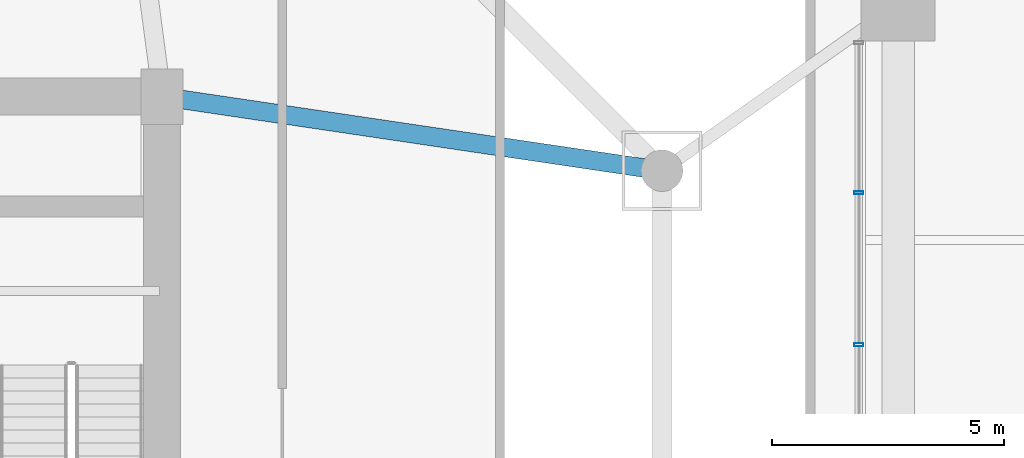
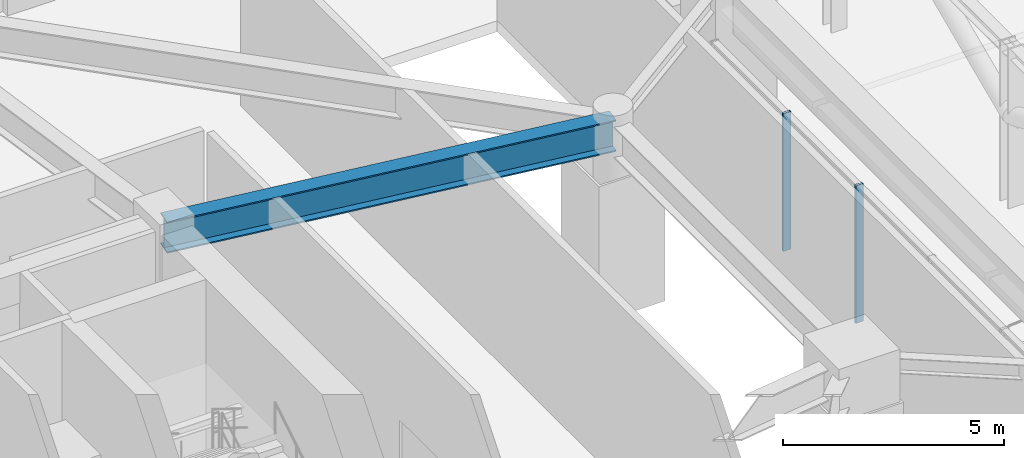
# One storey, part 13 of 27: 2 members, 1 beam, 1 element without a shape of its own.
"""IFC4 building model written with IfcOpenShell, lengths in metres."""

from ifc_helpers import new_model, si_unit, direction, frame, origin, origin_2d, place, context, subcontext, project, spatial, hollow_rectangle, i_section, extrude, source, transform, mapped, material, layer, layer_set, material_profile, profile_set, type_object, element, aggregate, save


model = new_model("IFC4")

# Units and contexts
model_context = context("Model", 3, precision=1e-05, world=origin(), true_north=direction((0.0, 1.0)))
body_context = subcontext(model_context, "Body", "Model", "MODEL_VIEW")
ifc_project = project(units=[si_unit("LENGTHUNIT", "METRE"), si_unit("AREAUNIT", "SQUARE_METRE"), si_unit("VOLUMEUNIT", "CUBIC_METRE"), si_unit("PLANEANGLEUNIT", "RADIAN"), si_unit("MASSUNIT", "GRAM", prefix="KILO")], contexts=[model_context])

# Site, building, storey
site_placement = place(None, origin())
site = spatial("IfcSite", under=ifc_project, at=site_placement, CompositionType="ELEMENT")
building_placement = place(site_placement, origin())
building = spatial("IfcBuilding", under=site, at=building_placement, Name="Veraguas Prism Commons", CompositionType="ELEMENT")
storey_placement = place(building_placement, origin())
storey = spatial("IfcBuildingStorey", under=building, at=storey_placement, Name="L00", CompositionType="ELEMENT", Elevation=0.0)

# Beam
ifc_material_1 = material(Name="Steel ASTM A992 Grade 50", Category="steel")
ifc_material_profile_1 = material_profile(ifc_material_1, i_section(OverallWidth=0.403076171875, OverallDepth=0.867919921875, WebThickness=0.02099609375, FlangeThickness=0.03564453125, at=origin_2d()), Name="W840X359")
ifc_profile_set_1 = profile_set([ifc_material_profile_1], Name="Steel ASTM A992 Grade 50")
beam_type = type_object("IfcBeamType", Name="Concourse Primary Girder W840x359", PredefinedType="BEAM", material=ifc_profile_set_1)
beam_placement = place(storey_placement, frame((41.60009765625, 29.39990234375, 4.466064453125), z_axis=(-0.989202261707, 0.146556765224, 0.0), x_axis=(-0.146556765224, -0.989202261707, 0.0)))
element("IfcBeam", 1, at=beam_placement, inside=storey, type_object=beam_type, Name="Concourse Radial Girder L00-TMR02", PredefinedType="BEAM", context=body_context, shape_type="SweptSolid", body=[
    extrude(i_section(OverallWidth=0.403076171875, OverallDepth=0.867919921875, WebThickness=0.02099609375, FlangeThickness=0.03564453125, at=origin_2d()), origin(), (0.0, 0.0, 1.0), 10.91796875),
])

# Curtain wall, members
ifc_material_2 = material(Name="Anodised aluminium EN AW-6063 T6", Category="aluminium")
ifc_layer = layer(ifc_material_2, 0.199951171875, Name="Metro Concourse Structural Glazing", Category="aluminium")
ifc_layer_set = layer_set([ifc_layer], Name="Anodised aluminium EN AW-6063 T6")
curtain_wall_type = type_object("IfcCurtainWallType", Name="Metro Concourse Structural Glazing", PredefinedType="NOTDEFINED", material=ifc_layer_set)
curtain_wall_placement = place(storey_placement, origin())
curtain_wall = element("IfcCurtainWall", 2, at=curtain_wall_placement, inside=storey, type_object=curtain_wall_type, Name="Plaza Concourse Curtain Wall L00-E02", PredefinedType="NOTDEFINED")
ifc_material_profile_2 = material_profile(ifc_material_2, hollow_rectangle(XDim=0.06494140625, YDim=0.199951171875, WallThickness=0.00390625, at=origin_2d()), Name="AL65X200X4")
ifc_profile_set_2 = profile_set([ifc_material_profile_2], Name="Anodised aluminium EN AW-6063 T6")
member_type = type_object("IfcMemberType", Name="Curtain Wall Mullion Heavy AL 65x200x4", PredefinedType="MULLION", material=ifc_profile_set_2)
shared_shape = source(origin(), body_context, "Body", "SweptSolid", [
    extrude(hollow_rectangle(XDim=0.06494140625, YDim=0.199951171875, WallThickness=0.00390625, at=origin_2d()), origin(), (0.0, 0.0, 1.0), 3.800048828125),
])
member_1_placement = place(storey_placement, frame((45.85009765625, 25.639892578125, 0.0), z_axis=(0.0, 0.0, 1.0), x_axis=(0.0, 1.0, 0.0)))
member_1 = element("IfcMember", 3, at=member_1_placement, type_object=member_type, Name="CW-STN Mullion 4", PredefinedType="MULLION", context=body_context, shape_type="MappedRepresentation", body=[
    mapped(shared_shape, transform((0.0, 0.0, 0.0), scale=1.0)),
])
member_2_placement = place(storey_placement, frame((45.85009765625, 28.919921875, 0.0), z_axis=(0.0, 0.0, 1.0), x_axis=(0.0, 1.0, 0.0)))
member_2 = element("IfcMember", 4, at=member_2_placement, type_object=member_type, Name="CW-STN Mullion 5", PredefinedType="MULLION", context=body_context, shape_type="MappedRepresentation", body=[
    mapped(shared_shape, transform((0.0, 0.0, 0.0), scale=1.0)),
])
aggregate(curtain_wall, [member_1, member_2])

save(model, "model.ifc")
